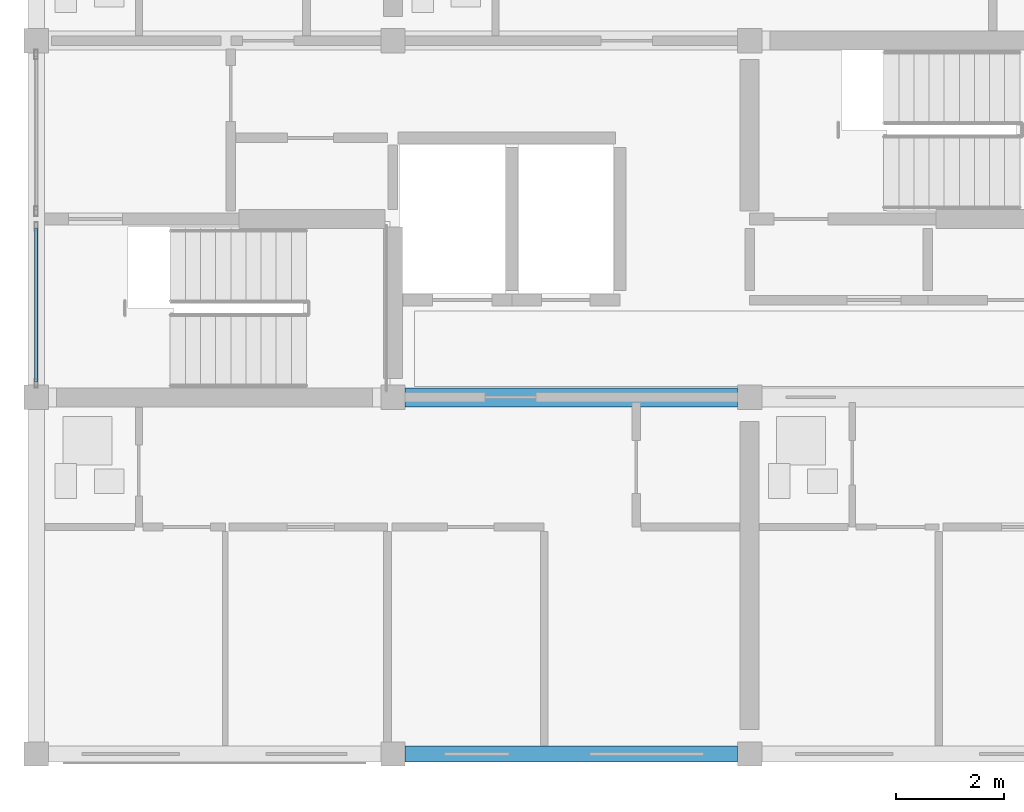
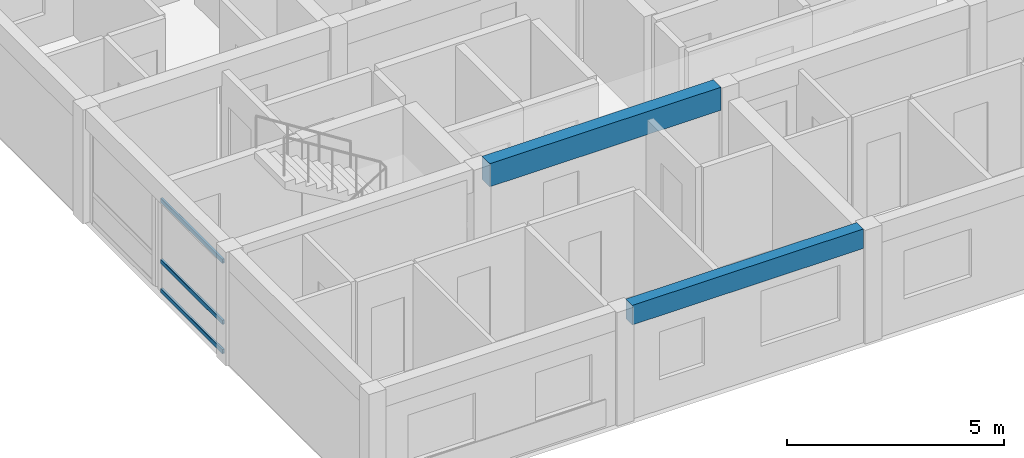
# One storey, part 4 of 51: 3 members, 2 beams, 1 element without a shape of its own.
"""IFC4 building model written with IfcOpenShell, lengths in metres."""

from ifc_helpers import new_model, si_unit, direction, frame, origin, origin_2d, place, context, subcontext, project, spatial, rectangle, hollow_rectangle, extrude, material, material_profile, profile_set, type_object, element, aggregate, save


model = new_model("IFC4")

# Units and contexts
model_context = context("Model", 3, precision=1e-05, world=origin(), true_north=direction((0.0, 1.0)))
body_context = subcontext(model_context, "Body", "Model", "MODEL_VIEW")
ifc_project = project(units=[si_unit("LENGTHUNIT", "METRE"), si_unit("AREAUNIT", "SQUARE_METRE"), si_unit("VOLUMEUNIT", "CUBIC_METRE"), si_unit("PLANEANGLEUNIT", "RADIAN"), si_unit("MASSUNIT", "GRAM", prefix="KILO")], contexts=[model_context])

# Site, building, storey
site_placement = place(None, origin())
site = spatial("IfcSite", under=ifc_project, at=site_placement, CompositionType="ELEMENT")
building_placement = place(site_placement, origin())
building = spatial("IfcBuilding", under=site, at=building_placement, Name="Kernevlak Ridge Housing Community", CompositionType="ELEMENT")
storey_placement = place(building_placement, frame((0.0, 0.0, 8.39990234375)))
storey = spatial("IfcBuildingStorey", under=building, at=storey_placement, Name="L02", CompositionType="ELEMENT", Elevation=8.39990234375)

# Beams
ifc_material_1 = material(Name="Concrete C35/45", Category="concrete")
ifc_material_profile_1 = material_profile(ifc_material_1, rectangle(XDim=0.35009765625, YDim=0.64990234375, at=origin_2d()), Name="RC 350x650")
ifc_profile_set_1 = profile_set([ifc_material_profile_1], Name="Concrete C35/45")
beam_type_1 = type_object("IfcBeamType", Name="B-02", PredefinedType="BEAM", material=ifc_profile_set_1)
beam_1_placement = place(storey_placement, frame((22.425048828125, 22.199951171875, 2.875), z_axis=(1.0, 0.0, 0.0), x_axis=(0.0, 1.0, 0.0)))
element("IfcBeam", 1, at=beam_1_placement, inside=storey, type_object=beam_type_1, Name="Beam B-02 L02 1371", PredefinedType="BEAM", context=body_context, shape_type="SweptSolid", body=[
    extrude(rectangle(XDim=0.35009765625, YDim=0.64990234375, at=origin_2d()), origin(), (0.0, 0.0, 1.0), 6.14990234375),
])
ifc_material_profile_2 = material_profile(ifc_material_1, rectangle(XDim=0.300048828125, YDim=0.550048828125, at=origin_2d()), Name="RC 300x550")
ifc_profile_set_2 = profile_set([ifc_material_profile_2], Name="Concrete C35/45")
beam_type_2 = type_object("IfcBeamType", Name="SP-01", PredefinedType="SPANDREL", material=ifc_profile_set_2)
beam_2_placement = place(storey_placement, frame((22.425048828125, 15.60009765625, 2.925048828125), z_axis=(1.0, 0.0, 0.0), x_axis=(0.0, 1.0, 0.0)))
element("IfcBeam", 2, at=beam_2_placement, inside=storey, type_object=beam_type_2, Name="Beam SP-01 L02 1367", PredefinedType="SPANDREL", context=body_context, shape_type="SweptSolid", body=[
    extrude(rectangle(XDim=0.300048828125, YDim=0.550048828125, at=origin_2d()), origin(), (0.0, 0.0, 1.0), 6.14990234375),
])

# Curtain wall, members
ifc_material_2 = material(Name="Aluminium EN AW-6060 anodised and laminated glass", Category="aluminium")
curtain_wall_type = type_object("IfcCurtainWallType", Name="CW-10", PredefinedType="NOTDEFINED", material=ifc_material_2)
curtain_wall_placement = place(storey_placement, origin())
curtain_wall = element("IfcCurtainWall", 3, at=curtain_wall_placement, inside=storey, type_object=curtain_wall_type, Name="Curtain wall CW-10 CW-L02-145", PredefinedType="NOTDEFINED")
ifc_material_3 = material(Name="Aluminium EN AW-6060 anodised", Category="aluminium")
ifc_material_profile_3 = material_profile(ifc_material_3, hollow_rectangle(XDim=0.06005859375, YDim=0.1201171875, WallThickness=0.00390625, InnerFilletRadius=0.001953125, OuterFilletRadius=0.00390625, at=origin_2d()), Name="ALU 60x120x4")
ifc_profile_set_3 = profile_set([ifc_material_profile_3], Name="Aluminium EN AW-6060 anodised")
member_type = type_object("IfcMemberType", Name="TM-02", PredefinedType="USERDEFINED", material=ifc_profile_set_3)
member_1_placement = place(storey_placement, frame((15.60009765625, 22.485107421875, 0.030029296875), z_axis=(0.0, 1.0, 0.0), x_axis=(-1.0, 0.0, 0.0)))
member_1 = element("IfcMember", 4, at=member_1_placement, type_object=member_type, Name="CW-10 transom 1.1", ObjectType="TRANSOM", PredefinedType="USERDEFINED", context=body_context, shape_type="SweptSolid", body=[
    extrude(hollow_rectangle(XDim=0.06005859375, YDim=0.1201171875, WallThickness=0.00390625, InnerFilletRadius=0.001953125, OuterFilletRadius=0.00390625, at=origin_2d()), origin(), (0.0, 0.0, 1.0), 2.844970703125),
])
member_2_placement = place(storey_placement, frame((15.60009765625, 22.485107421875, 0.85009765625), z_axis=(0.0, 1.0, 0.0), x_axis=(-1.0, 0.0, 0.0)))
member_2 = element("IfcMember", 5, at=member_2_placement, type_object=member_type, Name="CW-10 transom 1.2", ObjectType="TRANSOM", PredefinedType="USERDEFINED", context=body_context, shape_type="SweptSolid", body=[
    extrude(hollow_rectangle(XDim=0.06005859375, YDim=0.1201171875, WallThickness=0.00390625, InnerFilletRadius=0.001953125, OuterFilletRadius=0.00390625, at=origin_2d()), origin(), (0.0, 0.0, 1.0), 2.844970703125),
])
member_3_placement = place(storey_placement, frame((15.60009765625, 22.485107421875, 2.570068359375), z_axis=(0.0, 1.0, 0.0), x_axis=(-1.0, 0.0, 0.0)))
member_3 = element("IfcMember", 6, at=member_3_placement, type_object=member_type, Name="CW-10 transom 1.3", ObjectType="TRANSOM", PredefinedType="USERDEFINED", context=body_context, shape_type="SweptSolid", body=[
    extrude(hollow_rectangle(XDim=0.06005859375, YDim=0.1201171875, WallThickness=0.00390625, InnerFilletRadius=0.001953125, OuterFilletRadius=0.00390625, at=origin_2d()), origin(), (0.0, 0.0, 1.0), 2.844970703125),
])
aggregate(curtain_wall, [member_1, member_2, member_3])

save(model, "model.ifc")
